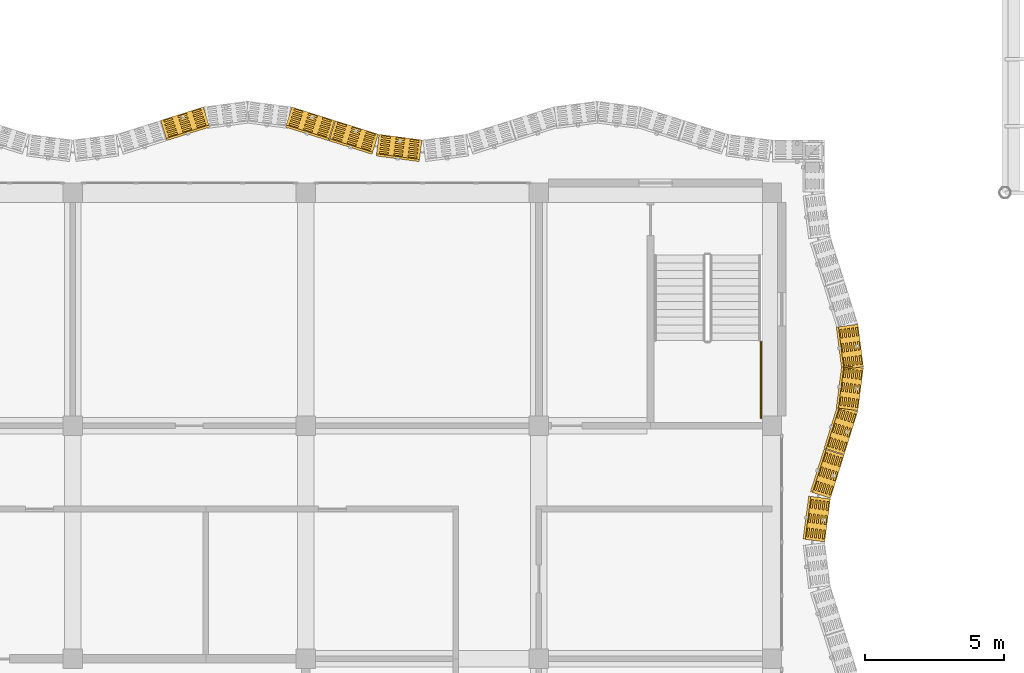
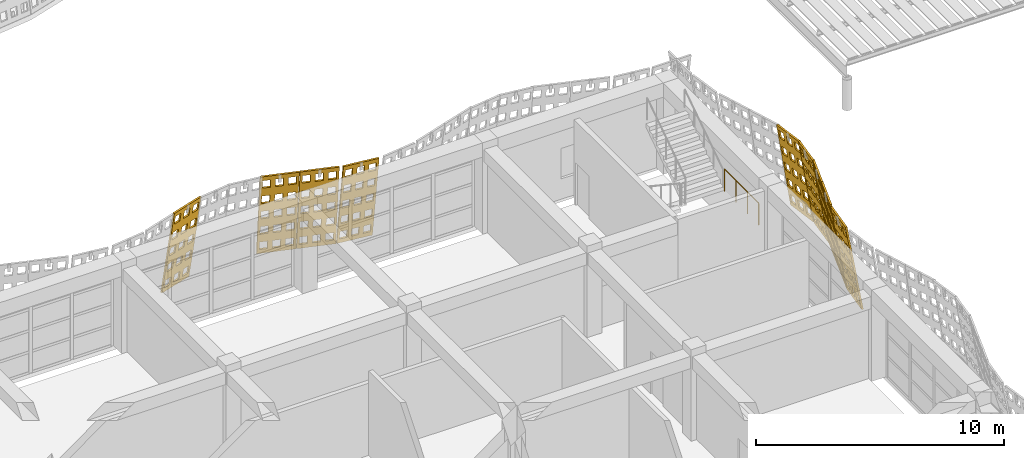
# One storey, part 126 of 162: 9 coverings, 1 railing.
"""IFC4 building model written with IfcOpenShell, lengths in metres."""

import ifcopenshell
import ifcopenshell.guid

model = None  # the IFC model being written
_history = None  # IfcOwnerHistory: only IFC2X3 demands one
_inside = {}  # id of a spatial element -> (the spatial element, [elements in it])
_under = {}  # id of a project, library or spatial element -> (it, [spatial elements below it])
_declared = {}  # id of a project -> (the project, [libraries it declares])
_typed = {}  # id of a type object -> (the type object, [elements of that type])
_made_of = {}  # id of a material, layer set ... -> (it, [elements and type objects made of it])


def new_model(schema):
    """Start an empty IFC model of exactly this schema.

    Asked for "IFC4X3", IfcOpenShell would pick the latest addendum, in which some entities
    have other attributes; the version numbers below select the first issue.
    IFC2X3 requires an IfcOwnerHistory on every rooted entity: one is made here for all.
    """
    global model, _history
    if schema == "IFC4X3":
        model = ifcopenshell.file(schema_version=(4, 3, 0, 0))
    else:
        model = ifcopenshell.file(schema=schema)
    _inside.clear()
    _under.clear()
    _declared.clear()
    _typed.clear()
    _made_of.clear()
    _history = None
    if model.schema == "IFC2X3":
        org = make("IfcOrganization", Name="unknown")
        user = make(
            "IfcPersonAndOrganization",
            ThePerson=make("IfcPerson", FamilyName="unknown"),
            TheOrganization=org,
        )
        app = make(
            "IfcApplication",
            ApplicationDeveloper=org,
            Version="unknown",
            ApplicationFullName="unknown",
            ApplicationIdentifier="unknown",
        )
        _history = make(
            "IfcOwnerHistory",
            OwningUser=user,
            OwningApplication=app,
            ChangeAction="ADDED",
            CreationDate=0,
        )
    return model


def make(cls, **values):
    """One entity of the class cls with the attributes given. An attribute that is None is left unset."""
    return model.create_entity(
        cls, **{name: value for name, value in values.items() if value is not None}
    )


def rooted(cls, **values):
    """An entity with a GlobalId (a new one), such as an element, a storey or a relation."""
    return make(cls, GlobalId=ifcopenshell.guid.new(), OwnerHistory=_history, **values)


def si_unit(unit_type, name, prefix=None):
    """IfcSIUnit, for example si_unit("LENGTHUNIT", "METRE", prefix="MILLI")."""
    return make("IfcSIUnit", UnitType=unit_type, Prefix=prefix, Name=name)


def assignment(units):
    """IfcUnitAssignment: the units of a project."""
    return None if units is None else make("IfcUnitAssignment", Units=units)


def point(xyz):
    """IfcCartesianPoint."""
    return None if xyz is None else make("IfcCartesianPoint", Coordinates=xyz)


def direction(xyz):
    """IfcDirection."""
    return None if xyz is None else make("IfcDirection", DirectionRatios=xyz)


def frame(location, z_axis=None, x_axis=None):
    """IfcAxis2Placement3D, a coordinate frame: its origin and axes. An axis left out is left unset."""
    return make(
        "IfcAxis2Placement3D",
        Location=point(location),
        Axis=direction(z_axis),
        RefDirection=direction(x_axis),
    )


def frame_2d(location, x_axis=None):
    """IfcAxis2Placement2D, a coordinate frame in the plane: its origin and x axis."""
    return make(
        "IfcAxis2Placement2D", Location=point(location), RefDirection=direction(x_axis)
    )


def origin():
    """The frame at (0, 0, 0) with its axes left unset."""
    return frame((0.0, 0.0, 0.0))


def origin_2d():
    """The frame at (0, 0) in the plane with its x axis left unset."""
    return frame_2d((0.0, 0.0))


def place(relative_to, where):
    """IfcLocalPlacement: puts the frame where relative to a parent placement (None: the world)."""
    return make(
        "IfcLocalPlacement", PlacementRelTo=relative_to, RelativePlacement=where
    )


def context(
    kind, dimensions, precision=None, world=None, true_north=None, identifier=None
):
    """IfcGeometricRepresentationContext, for example the 3D "Model" context."""
    return make(
        "IfcGeometricRepresentationContext",
        ContextIdentifier=identifier,
        ContextType=kind,
        CoordinateSpaceDimension=dimensions,
        Precision=precision,
        WorldCoordinateSystem=world,
        TrueNorth=true_north,
    )


def subcontext(parent, identifier, kind, view, scale=None):
    """IfcGeometricRepresentationSubContext, for example "Body" below "Model"."""
    return make(
        "IfcGeometricRepresentationSubContext",
        ContextIdentifier=identifier,
        ContextType=kind,
        ParentContext=parent,
        TargetScale=scale,
        TargetView=view,
    )


def project(units=None, contexts=None):
    """IfcProject with its units and contexts."""
    return rooted(
        "IfcProject",
        Name="project",
        RepresentationContexts=contexts,
        UnitsInContext=assignment(units),
    )


def spatial(cls, under=None, at=None, **own):
    """A site, building, storey or space (cls), placed at a placement, below another one or the project."""
    s = rooted(cls, ObjectPlacement=at, **own)
    if under is not None:
        _under.setdefault(under.id(), (under, []))[1].append(s)
    return s


def polyline(points):
    """IfcPolyline through the points."""
    return make("IfcPolyline", Points=[point(p) for p in points])


def profile(cls, at=None, kind="AREA", **sizes):
    """A parametric profile (cls). Its sizes go by their IFC names, for example OverallWidth=200.0."""
    return make(cls, ProfileType=kind, Position=at, **sizes)


def circle(**sizes):
    """IfcCircleProfileDef."""
    return profile("IfcCircleProfileDef", **sizes)


def outline(outer, holes=None, kind="AREA"):
    """IfcArbitraryClosedProfileDef: a profile drawn as a closed curve; with holes, ...WithVoids."""
    if holes is None:
        return make("IfcArbitraryClosedProfileDef", ProfileType=kind, OuterCurve=outer)
    return make(
        "IfcArbitraryProfileDefWithVoids",
        ProfileType=kind,
        OuterCurve=outer,
        InnerCurves=holes,
    )


def extrude(swept, where, along, depth):
    """IfcExtrudedAreaSolid: the profile swept, set in the frame where, extruded along a direction by depth."""
    return make(
        "IfcExtrudedAreaSolid",
        SweptArea=swept,
        Position=where,
        ExtrudedDirection=direction(along),
        Depth=depth,
    )


def shape(context_of_items, identifier, shape_type, items):
    """IfcShapeRepresentation: the items that make up one representation, for example the "Body"."""
    return make(
        "IfcShapeRepresentation",
        ContextOfItems=context_of_items,
        RepresentationIdentifier=identifier,
        RepresentationType=shape_type,
        Items=items,
    )


def material(Name=None, Category=None):
    """IfcMaterial."""
    return make("IfcMaterial", Name=Name, Category=Category)


def layer(
    of_material, thickness, ventilated=None, Name=None, Category=None, Priority=None
):
    """IfcMaterialLayer: one layer of a wall or slab, of a material (None: an air gap)."""
    return make(
        "IfcMaterialLayer",
        Material=of_material,
        LayerThickness=thickness,
        IsVentilated=ventilated,
        Name=Name,
        Category=Category,
        Priority=Priority,
    )


def layer_set(layers, Name=None):
    """IfcMaterialLayerSet."""
    return make("IfcMaterialLayerSet", MaterialLayers=layers, LayerSetName=Name)


def made_of(thing, what):
    """Note that an element or type object is made of a material, layer set ...; save() writes the relation."""
    if what is not None:
        _made_of.setdefault(what.id(), (what, []))[1].append(thing)
    return thing


def type_object(cls, material=None, **own):
    """A type object (cls), such as IfcWallType, which elements share."""
    return made_of(rooted(cls, **own), material)


def element(
    cls,
    number,
    at=None,
    inside=None,
    cuts=None,
    type_object=None,
    material=None,
    context=None,
    identifier="Body",
    shape_type=None,
    held_by="IfcProductDefinitionShape",
    body=None,
    shapes=None,
    **own,
):
    """One element of the class cls, such as IfcWall. Its Tag is "e" and its number.

    at: its placement. inside: the storey or other place that contains it. cuts: it is an
    opening in that element (IfcRelVoidsElement). A single representation is given by context,
    identifier, shape_type and body (its items); several are given by shapes. held_by: the class
    of the entity that holds the representations. save() writes the other relations.
    """
    e = rooted(cls, Tag="e%d" % number, ObjectPlacement=at, **own)
    if body is not None:
        shapes = [shape(context, identifier, shape_type, body)]
    if shapes is not None:
        e.Representation = make(held_by, Representations=shapes)
    if inside is not None:
        _inside.setdefault(inside.id(), (inside, []))[1].append(e)
    if cuts is not None:
        rooted(
            "IfcRelVoidsElement", RelatingBuildingElement=cuts, RelatedOpeningElement=e
        )
    if type_object is not None:
        _typed.setdefault(type_object.id(), (type_object, []))[1].append(e)
    return made_of(e, material)


def aggregate(whole, parts):
    """IfcRelAggregates: a whole, such as a stair, and the parts it consists of."""
    return rooted("IfcRelAggregates", RelatingObject=whole, RelatedObjects=parts)


def save(model, path):
    """Write the relations noted so far, then the file.

    IfcRelAggregates (storeys below a building ...), IfcRelContainedInSpatialStructure (elements
    in a storey), IfcRelDefinesByType, IfcRelAssociatesMaterial and IfcRelDeclares: one each for
    every whole, place, type object, material and project.
    """
    for whole, parts in _under.values():
        aggregate(whole, parts)
    for where, things in _inside.values():
        rooted(
            "IfcRelContainedInSpatialStructure",
            RelatedElements=things,
            RelatingStructure=where,
        )
    for kind, things in _typed.values():
        rooted("IfcRelDefinesByType", RelatedObjects=things, RelatingType=kind)
    for what, things in _made_of.values():
        rooted("IfcRelAssociatesMaterial", RelatedObjects=things, RelatingMaterial=what)
    for by, libraries in _declared.values():
        rooted("IfcRelDeclares", RelatingContext=by, RelatedDefinitions=libraries)
    model.write(path)


model = new_model("IFC4")

# Units and contexts
model_context = context("Model", 3, precision=1e-05, world=origin(), true_north=direction((0.0, 1.0)))
body_context = subcontext(model_context, "Body", "Model", "MODEL_VIEW")
ifc_project = project(units=[si_unit("LENGTHUNIT", "METRE"), si_unit("AREAUNIT", "SQUARE_METRE"), si_unit("VOLUMEUNIT", "CUBIC_METRE"), si_unit("PLANEANGLEUNIT", "RADIAN"), si_unit("MASSUNIT", "GRAM", prefix="KILO")], contexts=[model_context])

# Site, building, storey
site_placement = place(None, origin())
site = spatial("IfcSite", under=ifc_project, at=site_placement, CompositionType="ELEMENT")
building_placement = place(site_placement, origin())
building = spatial("IfcBuilding", under=site, at=building_placement, Name="Rain Tree Exposition and Congress Centre", CompositionType="ELEMENT")
storey_placement = place(building_placement, frame((0.0, 0.0, 6.0)))
storey = spatial("IfcBuildingStorey", under=building, at=storey_placement, Name="L01", CompositionType="ELEMENT", Elevation=6.0)

# Coverings
ifc_material_1 = material(Name="Perforated terracotta", Category="masonry")
ifc_layer = layer(ifc_material_1, 0.080078125)
ifc_layer_set = layer_set([ifc_layer], Name="Perforated terracotta")
covering_type = type_object("IfcCoveringType", Name="Terracotta screen 80", PredefinedType="CLADDING", material=ifc_layer_set)
covering_1_placement = place(storey_placement, frame((52.298095703125, 37.80029296875, 0.01318359375), z_axis=(-0.9779030419, 0.128349774249, -0.165021138321), x_axis=(-0.130133906157, -0.991496427865, 0.0)))
element("IfcCovering", 1, at=covering_1_placement, inside=storey, type_object=covering_type, Name="wing/screen/L01/059", PredefinedType="CLADDING", context=body_context, shape_type="SweptSolid", body=[
    extrude(outline(polyline([(-1.5732421875, 0.0), (-1.5732421875, 4.295166015625), (-0.014892578125, 4.295166015625), (-0.014892578125, 0.0), (-1.5732421875, 0.0)]), holes=[polyline([(-0.11376953125, 0.2216796875), (-0.11376953125, 0.63720703125), (-0.435791015625, 0.63720703125), (-0.435791015625, 0.2216796875), (-0.11376953125, 0.2216796875)]), polyline([(-0.11376953125, 1.080810546875), (-0.11376953125, 1.496337890625), (-0.435791015625, 1.496337890625), (-0.435791015625, 1.080810546875), (-0.11376953125, 1.080810546875)]), polyline([(-0.11376953125, 1.939697265625), (-0.11376953125, 2.35546875), (-0.435791015625, 2.35546875), (-0.435791015625, 1.939697265625), (-0.11376953125, 1.939697265625)]), polyline([(-0.11376953125, 2.798583984375), (-0.11376953125, 3.21435546875), (-0.435791015625, 3.21435546875), (-0.435791015625, 2.798583984375), (-0.11376953125, 2.798583984375)]), polyline([(-0.11376953125, 3.65771484375), (-0.11376953125, 4.073486328125), (-0.435791015625, 4.073486328125), (-0.435791015625, 3.65771484375), (-0.11376953125, 3.65771484375)]), polyline([(-0.633056640625, 0.2216796875), (-0.633056640625, 0.63720703125), (-0.955078125, 0.63720703125), (-0.955078125, 0.2216796875), (-0.633056640625, 0.2216796875)]), polyline([(-0.633056640625, 1.080810546875), (-0.633056640625, 1.496337890625), (-0.955078125, 1.496337890625), (-0.955078125, 1.080810546875), (-0.633056640625, 1.080810546875)]), polyline([(-0.633056640625, 1.939697265625), (-0.633056640625, 2.35546875), (-0.955078125, 2.35546875), (-0.955078125, 1.939697265625), (-0.633056640625, 1.939697265625)]), polyline([(-0.633056640625, 2.798583984375), (-0.633056640625, 3.21435546875), (-0.955078125, 3.21435546875), (-0.955078125, 2.798583984375), (-0.633056640625, 2.798583984375)]), polyline([(-0.633056640625, 3.65771484375), (-0.633056640625, 4.073486328125), (-0.955078125, 4.073486328125), (-0.955078125, 3.65771484375), (-0.633056640625, 3.65771484375)]), polyline([(-1.152587890625, 0.2216796875), (-1.152587890625, 0.63720703125), (-1.474609375, 0.63720703125), (-1.474609375, 0.2216796875), (-1.152587890625, 0.2216796875)]), polyline([(-1.152587890625, 1.080810546875), (-1.152587890625, 1.496337890625), (-1.474609375, 1.496337890625), (-1.474609375, 1.080810546875), (-1.152587890625, 1.080810546875)]), polyline([(-1.152587890625, 1.939697265625), (-1.152587890625, 2.35546875), (-1.474609375, 2.35546875), (-1.474609375, 1.939697265625), (-1.152587890625, 1.939697265625)]), polyline([(-1.152587890625, 2.798583984375), (-1.152587890625, 3.21435546875), (-1.474609375, 3.21435546875), (-1.474609375, 2.798583984375), (-1.152587890625, 2.798583984375)]), polyline([(-1.152587890625, 3.65771484375), (-1.152587890625, 4.073486328125), (-1.474609375, 4.073486328125), (-1.474609375, 3.65771484375), (-1.152587890625, 3.65771484375)])]), origin(), (0.0, 0.0, 1.0), 0.079833984375),
])
covering_2_placement = place(storey_placement, frame((52.50341796875, 39.37548828125, 0.0126953125), z_axis=(-0.941176896939, 0.298496232686, -0.158385756119), x_axis=(-0.302312226207, -0.953208958144, 0.0)))
element("IfcCovering", 2, at=covering_2_placement, inside=storey, type_object=covering_type, Name="wing/screen/L01/060", PredefinedType="CLADDING", context=body_context, shape_type="SweptSolid", body=[
    extrude(outline(polyline([(-1.635986328125, 0.0), (-1.635986328125, 4.291259765625), (-0.014892578125, 4.291259765625), (-0.014892578125, 0.0), (-1.635986328125, 0.0)]), holes=[polyline([(-0.11767578125, 0.221435546875), (-0.11767578125, 0.63671875), (-0.45263671875, 0.63671875), (-0.45263671875, 0.221435546875), (-0.11767578125, 0.221435546875)]), polyline([(-0.11767578125, 1.07958984375), (-0.11767578125, 1.4951171875), (-0.45263671875, 1.4951171875), (-0.45263671875, 1.07958984375), (-0.11767578125, 1.07958984375)]), polyline([(-0.11767578125, 1.93798828125), (-0.11767578125, 2.353271484375), (-0.45263671875, 2.353271484375), (-0.45263671875, 1.93798828125), (-0.11767578125, 1.93798828125)]), polyline([(-0.11767578125, 2.796142578125), (-0.11767578125, 3.21142578125), (-0.45263671875, 3.21142578125), (-0.45263671875, 2.796142578125), (-0.11767578125, 2.796142578125)]), polyline([(-0.11767578125, 3.654541015625), (-0.11767578125, 4.06982421875), (-0.45263671875, 4.06982421875), (-0.45263671875, 3.654541015625), (-0.11767578125, 3.654541015625)]), polyline([(-0.657958984375, 0.221435546875), (-0.657958984375, 0.63671875), (-0.992919921875, 0.63671875), (-0.992919921875, 0.221435546875), (-0.657958984375, 0.221435546875)]), polyline([(-0.657958984375, 1.07958984375), (-0.657958984375, 1.4951171875), (-0.992919921875, 1.4951171875), (-0.992919921875, 1.07958984375), (-0.657958984375, 1.07958984375)]), polyline([(-0.657958984375, 1.93798828125), (-0.657958984375, 2.353271484375), (-0.992919921875, 2.353271484375), (-0.992919921875, 1.93798828125), (-0.657958984375, 1.93798828125)]), polyline([(-0.657958984375, 2.796142578125), (-0.657958984375, 3.21142578125), (-0.992919921875, 3.21142578125), (-0.992919921875, 2.796142578125), (-0.657958984375, 2.796142578125)]), polyline([(-0.657958984375, 3.654541015625), (-0.657958984375, 4.06982421875), (-0.992919921875, 4.06982421875), (-0.992919921875, 3.654541015625), (-0.657958984375, 3.654541015625)]), polyline([(-1.1982421875, 0.221435546875), (-1.1982421875, 0.63671875), (-1.533203125, 0.63671875), (-1.533203125, 0.221435546875), (-1.1982421875, 0.221435546875)]), polyline([(-1.1982421875, 1.07958984375), (-1.1982421875, 1.4951171875), (-1.533203125, 1.4951171875), (-1.533203125, 1.07958984375), (-1.1982421875, 1.07958984375)]), polyline([(-1.1982421875, 1.93798828125), (-1.1982421875, 2.353271484375), (-1.533203125, 2.353271484375), (-1.533203125, 1.93798828125), (-1.1982421875, 1.93798828125)]), polyline([(-1.1982421875, 2.796142578125), (-1.1982421875, 3.21142578125), (-1.533203125, 3.21142578125), (-1.533203125, 2.796142578125), (-1.1982421875, 2.796142578125)]), polyline([(-1.1982421875, 3.654541015625), (-1.1982421875, 4.06982421875), (-1.533203125, 4.06982421875), (-1.533203125, 3.654541015625), (-1.1982421875, 3.654541015625)])]), origin(), (0.0, 0.0, 1.0), 0.080078125),
])
covering_3_placement = place(storey_placement, frame((52.998291015625, 40.95068359375, 0.0126953125), z_axis=(-0.941684688936, 0.296569528658, -0.158985726703), x_axis=(-0.300390227601, -0.953816392794, 0.0)))
element("IfcCovering", 3, at=covering_3_placement, inside=storey, type_object=covering_type, Name="wing/screen/L01/061", PredefinedType="CLADDING", context=body_context, shape_type="SweptSolid", body=[
    extrude(outline(polyline([(-1.62890625, 0.0), (-1.62890625, 4.291259765625), (-0.014892578125, 4.291259765625), (-0.014892578125, 0.0), (-1.62890625, 0.0)]), holes=[polyline([(-0.1171875, 0.221435546875), (-0.1171875, 0.63671875), (-0.45068359375, 0.63671875), (-0.45068359375, 0.221435546875), (-0.1171875, 0.221435546875)]), polyline([(-0.1171875, 1.07958984375), (-0.1171875, 1.4951171875), (-0.45068359375, 1.4951171875), (-0.45068359375, 1.07958984375), (-0.1171875, 1.07958984375)]), polyline([(-0.1171875, 1.93798828125), (-0.1171875, 2.353271484375), (-0.45068359375, 2.353271484375), (-0.45068359375, 1.93798828125), (-0.1171875, 1.93798828125)]), polyline([(-0.1171875, 2.796142578125), (-0.1171875, 3.21142578125), (-0.45068359375, 3.21142578125), (-0.45068359375, 2.796142578125), (-0.1171875, 2.796142578125)]), polyline([(-0.1171875, 3.654541015625), (-0.1171875, 4.06982421875), (-0.45068359375, 4.06982421875), (-0.45068359375, 3.654541015625), (-0.1171875, 3.654541015625)]), polyline([(-0.6552734375, 0.221435546875), (-0.6552734375, 0.63671875), (-0.98876953125, 0.63671875), (-0.98876953125, 0.221435546875), (-0.6552734375, 0.221435546875)]), polyline([(-0.6552734375, 1.07958984375), (-0.6552734375, 1.4951171875), (-0.98876953125, 1.4951171875), (-0.98876953125, 1.07958984375), (-0.6552734375, 1.07958984375)]), polyline([(-0.6552734375, 1.93798828125), (-0.6552734375, 2.353271484375), (-0.98876953125, 2.353271484375), (-0.98876953125, 1.93798828125), (-0.6552734375, 1.93798828125)]), polyline([(-0.6552734375, 2.796142578125), (-0.6552734375, 3.21142578125), (-0.98876953125, 3.21142578125), (-0.98876953125, 2.796142578125), (-0.6552734375, 2.796142578125)]), polyline([(-0.6552734375, 3.654541015625), (-0.6552734375, 4.06982421875), (-0.98876953125, 4.06982421875), (-0.98876953125, 3.654541015625), (-0.6552734375, 3.654541015625)]), polyline([(-1.193115234375, 0.221435546875), (-1.193115234375, 0.63671875), (-1.526611328125, 0.63671875), (-1.526611328125, 0.221435546875), (-1.193115234375, 0.221435546875)]), polyline([(-1.193115234375, 1.07958984375), (-1.193115234375, 1.4951171875), (-1.526611328125, 1.4951171875), (-1.526611328125, 1.07958984375), (-1.193115234375, 1.07958984375)]), polyline([(-1.193115234375, 1.93798828125), (-1.193115234375, 2.353271484375), (-1.526611328125, 2.353271484375), (-1.526611328125, 1.93798828125), (-1.193115234375, 1.93798828125)]), polyline([(-1.193115234375, 2.796142578125), (-1.193115234375, 3.21142578125), (-1.526611328125, 3.21142578125), (-1.526611328125, 2.796142578125), (-1.193115234375, 2.796142578125)]), polyline([(-1.193115234375, 3.654541015625), (-1.193115234375, 4.06982421875), (-1.526611328125, 4.06982421875), (-1.526611328125, 3.654541015625), (-1.193115234375, 3.654541015625)])]), origin(), (0.0, 0.0, 1.0), 0.079833984375),
])
covering_4_placement = place(storey_placement, frame((53.4931640625, 42.525390625, 0.01318359375), z_axis=(-0.978413018317, 0.124968640969, -0.164592844203), x_axis=(-0.126696580272, -0.991941518713, 0.0)))
element("IfcCovering", 4, at=covering_4_placement, inside=storey, type_object=covering_type, Name="wing/screen/L01/062", PredefinedType="CLADDING", context=body_context, shape_type="SweptSolid", body=[
    extrude(outline(polyline([(-1.56298828125, 0.0), (-1.56298828125, 4.295166015625), (-0.02197265625, 4.295166015625), (-0.02197265625, 0.0), (-1.56298828125, 0.0)]), holes=[polyline([(-0.11962890625, 0.2216796875), (-0.11962890625, 0.63720703125), (-0.43798828125, 0.63720703125), (-0.43798828125, 0.2216796875), (-0.11962890625, 0.2216796875)]), polyline([(-0.11962890625, 1.080810546875), (-0.11962890625, 1.496337890625), (-0.43798828125, 1.496337890625), (-0.43798828125, 1.080810546875), (-0.11962890625, 1.080810546875)]), polyline([(-0.11962890625, 1.939697265625), (-0.11962890625, 2.35546875), (-0.43798828125, 2.35546875), (-0.43798828125, 1.939697265625), (-0.11962890625, 1.939697265625)]), polyline([(-0.11962890625, 2.798583984375), (-0.11962890625, 3.21435546875), (-0.43798828125, 3.21435546875), (-0.43798828125, 2.798583984375), (-0.11962890625, 2.798583984375)]), polyline([(-0.11962890625, 3.65771484375), (-0.11962890625, 4.073486328125), (-0.43798828125, 4.073486328125), (-0.43798828125, 3.65771484375), (-0.11962890625, 3.65771484375)]), polyline([(-0.63330078125, 0.2216796875), (-0.63330078125, 0.63720703125), (-0.95166015625, 0.63720703125), (-0.95166015625, 0.2216796875), (-0.63330078125, 0.2216796875)]), polyline([(-0.63330078125, 1.080810546875), (-0.63330078125, 1.496337890625), (-0.95166015625, 1.496337890625), (-0.95166015625, 1.080810546875), (-0.63330078125, 1.080810546875)]), polyline([(-0.63330078125, 1.939697265625), (-0.63330078125, 2.35546875), (-0.95166015625, 2.35546875), (-0.95166015625, 1.939697265625), (-0.63330078125, 1.939697265625)]), polyline([(-0.63330078125, 2.798583984375), (-0.63330078125, 3.21435546875), (-0.95166015625, 3.21435546875), (-0.95166015625, 2.798583984375), (-0.63330078125, 2.798583984375)]), polyline([(-0.63330078125, 3.65771484375), (-0.63330078125, 4.073486328125), (-0.95166015625, 4.073486328125), (-0.95166015625, 3.65771484375), (-0.63330078125, 3.65771484375)]), polyline([(-1.146728515625, 0.2216796875), (-1.146728515625, 0.63720703125), (-1.46533203125, 0.63720703125), (-1.46533203125, 0.2216796875), (-1.146728515625, 0.2216796875)]), polyline([(-1.146728515625, 1.080810546875), (-1.146728515625, 1.496337890625), (-1.46533203125, 1.496337890625), (-1.46533203125, 1.080810546875), (-1.146728515625, 1.080810546875)]), polyline([(-1.146728515625, 1.939697265625), (-1.146728515625, 2.35546875), (-1.46533203125, 2.35546875), (-1.46533203125, 1.939697265625), (-1.146728515625, 1.939697265625)]), polyline([(-1.146728515625, 2.798583984375), (-1.146728515625, 3.21435546875), (-1.46533203125, 3.21435546875), (-1.46533203125, 2.798583984375), (-1.146728515625, 2.798583984375)]), polyline([(-1.146728515625, 3.65771484375), (-1.146728515625, 4.073486328125), (-1.46533203125, 4.073486328125), (-1.46533203125, 3.65771484375), (-1.146728515625, 3.65771484375)])]), origin(), (0.0, 0.0, 1.0), 0.080078125),
])
covering_5_placement = place(storey_placement, frame((53.697998046875, 44.099609375, 0.01318359375), z_axis=(-0.978282259159, -0.125342414455, -0.165085131233), x_axis=(0.127086122318, -0.991891686382, 0.0)))
element("IfcCovering", 5, at=covering_5_placement, inside=storey, type_object=covering_type, Name="wing/screen/L01/063", PredefinedType="CLADDING", context=body_context, shape_type="SweptSolid", body=[
    extrude(outline(polyline([(-1.56640625, 0.0), (-1.56640625, 4.295166015625), (-0.025390625, 4.295166015625), (-0.025390625, 0.0), (-1.56640625, 0.0)]), holes=[polyline([(-0.123046875, 0.2216796875), (-0.123046875, 0.63720703125), (-0.44140625, 0.63720703125), (-0.44140625, 0.2216796875), (-0.123046875, 0.2216796875)]), polyline([(-0.123046875, 1.080810546875), (-0.123046875, 1.496337890625), (-0.44140625, 1.496337890625), (-0.44140625, 1.080810546875), (-0.123046875, 1.080810546875)]), polyline([(-0.123046875, 1.939697265625), (-0.123046875, 2.35546875), (-0.44140625, 2.35546875), (-0.44140625, 1.939697265625), (-0.123046875, 1.939697265625)]), polyline([(-0.123046875, 2.798583984375), (-0.123046875, 3.21435546875), (-0.44140625, 3.21435546875), (-0.44140625, 2.798583984375), (-0.123046875, 2.798583984375)]), polyline([(-0.123046875, 3.65771484375), (-0.123046875, 4.073486328125), (-0.44140625, 4.073486328125), (-0.44140625, 3.65771484375), (-0.123046875, 3.65771484375)]), polyline([(-0.63671875, 0.2216796875), (-0.63671875, 0.63720703125), (-0.955078125, 0.63720703125), (-0.955078125, 0.2216796875), (-0.63671875, 0.2216796875)]), polyline([(-0.63671875, 1.080810546875), (-0.63671875, 1.496337890625), (-0.955078125, 1.496337890625), (-0.955078125, 1.080810546875), (-0.63671875, 1.080810546875)]), polyline([(-0.63671875, 1.939697265625), (-0.63671875, 2.35546875), (-0.955078125, 2.35546875), (-0.955078125, 1.939697265625), (-0.63671875, 1.939697265625)]), polyline([(-0.63671875, 2.798583984375), (-0.63671875, 3.21435546875), (-0.955078125, 3.21435546875), (-0.955078125, 2.798583984375), (-0.63671875, 2.798583984375)]), polyline([(-0.63671875, 3.65771484375), (-0.63671875, 4.073486328125), (-0.955078125, 4.073486328125), (-0.955078125, 3.65771484375), (-0.63671875, 3.65771484375)]), polyline([(-1.150146484375, 0.2216796875), (-1.150146484375, 0.63720703125), (-1.46875, 0.63720703125), (-1.46875, 0.2216796875), (-1.150146484375, 0.2216796875)]), polyline([(-1.150146484375, 1.080810546875), (-1.150146484375, 1.496337890625), (-1.46875, 1.496337890625), (-1.46875, 1.080810546875), (-1.150146484375, 1.080810546875)]), polyline([(-1.150146484375, 1.939697265625), (-1.150146484375, 2.35546875), (-1.46875, 2.35546875), (-1.46875, 1.939697265625), (-1.150146484375, 1.939697265625)]), polyline([(-1.150146484375, 2.798583984375), (-1.150146484375, 3.21435546875), (-1.46875, 3.21435546875), (-1.46875, 2.798583984375), (-1.150146484375, 2.798583984375)]), polyline([(-1.150146484375, 3.65771484375), (-1.150146484375, 4.073486328125), (-1.46875, 4.073486328125), (-1.46875, 3.65771484375), (-1.150146484375, 3.65771484375)])]), origin(), (0.0, 0.0, 1.0), 0.079833984375),
])
covering_6_placement = place(storey_placement, frame((37.7998046875, 52.298095703125, 0.01318359375), z_axis=(-0.128349774249, -0.9779030419, -0.165021138321), x_axis=(0.991496427865, -0.130133906157, 0.0)))
element("IfcCovering", 6, at=covering_6_placement, inside=storey, type_object=covering_type, Name="wing/screen/L01/077", PredefinedType="CLADDING", context=body_context, shape_type="SweptSolid", body=[
    extrude(outline(polyline([(-1.5732421875, 0.0), (-1.5732421875, 4.295166015625), (-0.014892578125, 4.295166015625), (-0.014892578125, 0.0), (-1.5732421875, 0.0)]), holes=[polyline([(-0.11376953125, 0.2216796875), (-0.11376953125, 0.63720703125), (-0.435791015625, 0.63720703125), (-0.435791015625, 0.2216796875), (-0.11376953125, 0.2216796875)]), polyline([(-0.11376953125, 1.080810546875), (-0.11376953125, 1.496337890625), (-0.435791015625, 1.496337890625), (-0.435791015625, 1.080810546875), (-0.11376953125, 1.080810546875)]), polyline([(-0.11376953125, 1.939697265625), (-0.11376953125, 2.35546875), (-0.435791015625, 2.35546875), (-0.435791015625, 1.939697265625), (-0.11376953125, 1.939697265625)]), polyline([(-0.11376953125, 2.798583984375), (-0.11376953125, 3.21435546875), (-0.435791015625, 3.21435546875), (-0.435791015625, 2.798583984375), (-0.11376953125, 2.798583984375)]), polyline([(-0.11376953125, 3.65771484375), (-0.11376953125, 4.073486328125), (-0.435791015625, 4.073486328125), (-0.435791015625, 3.65771484375), (-0.11376953125, 3.65771484375)]), polyline([(-0.633056640625, 0.2216796875), (-0.633056640625, 0.63720703125), (-0.955078125, 0.63720703125), (-0.955078125, 0.2216796875), (-0.633056640625, 0.2216796875)]), polyline([(-0.633056640625, 1.080810546875), (-0.633056640625, 1.496337890625), (-0.955078125, 1.496337890625), (-0.955078125, 1.080810546875), (-0.633056640625, 1.080810546875)]), polyline([(-0.633056640625, 1.939697265625), (-0.633056640625, 2.35546875), (-0.955078125, 2.35546875), (-0.955078125, 1.939697265625), (-0.633056640625, 1.939697265625)]), polyline([(-0.633056640625, 2.798583984375), (-0.633056640625, 3.21435546875), (-0.955078125, 3.21435546875), (-0.955078125, 2.798583984375), (-0.633056640625, 2.798583984375)]), polyline([(-0.633056640625, 3.65771484375), (-0.633056640625, 4.073486328125), (-0.955078125, 4.073486328125), (-0.955078125, 3.65771484375), (-0.633056640625, 3.65771484375)]), polyline([(-1.152587890625, 0.2216796875), (-1.152587890625, 0.63720703125), (-1.474609375, 0.63720703125), (-1.474609375, 0.2216796875), (-1.152587890625, 0.2216796875)]), polyline([(-1.152587890625, 1.080810546875), (-1.152587890625, 1.496337890625), (-1.474609375, 1.496337890625), (-1.474609375, 1.080810546875), (-1.152587890625, 1.080810546875)]), polyline([(-1.152587890625, 1.939697265625), (-1.152587890625, 2.35546875), (-1.474609375, 2.35546875), (-1.474609375, 1.939697265625), (-1.152587890625, 1.939697265625)]), polyline([(-1.152587890625, 2.798583984375), (-1.152587890625, 3.21435546875), (-1.474609375, 3.21435546875), (-1.474609375, 2.798583984375), (-1.152587890625, 2.798583984375)]), polyline([(-1.152587890625, 3.65771484375), (-1.152587890625, 4.073486328125), (-1.474609375, 4.073486328125), (-1.474609375, 3.65771484375), (-1.152587890625, 3.65771484375)])]), origin(), (0.0, 0.0, 1.0), 0.079833984375),
])
covering_7_placement = place(storey_placement, frame((36.224365234375, 52.50341796875, 0.0126953125), z_axis=(-0.295717964052, -0.942029390639, -0.158529217842), x_axis=(0.954094597562, -0.29950542383, 0.0)))
element("IfcCovering", 7, at=covering_7_placement, inside=storey, type_object=covering_type, Name="wing/screen/L01/078", PredefinedType="CLADDING", context=body_context, shape_type="SweptSolid", body=[
    extrude(outline(polyline([(-1.635986328125, 0.0), (-1.635986328125, 4.291259765625), (-0.014892578125, 4.291259765625), (-0.014892578125, 0.0), (-1.635986328125, 0.0)]), holes=[polyline([(-0.11767578125, 0.221435546875), (-0.11767578125, 0.63671875), (-0.45263671875, 0.63671875), (-0.45263671875, 0.221435546875), (-0.11767578125, 0.221435546875)]), polyline([(-0.11767578125, 1.07958984375), (-0.11767578125, 1.4951171875), (-0.45263671875, 1.4951171875), (-0.45263671875, 1.07958984375), (-0.11767578125, 1.07958984375)]), polyline([(-0.11767578125, 1.93798828125), (-0.11767578125, 2.353271484375), (-0.45263671875, 2.353271484375), (-0.45263671875, 1.93798828125), (-0.11767578125, 1.93798828125)]), polyline([(-0.11767578125, 2.796142578125), (-0.11767578125, 3.21142578125), (-0.45263671875, 3.21142578125), (-0.45263671875, 2.796142578125), (-0.11767578125, 2.796142578125)]), polyline([(-0.11767578125, 3.654541015625), (-0.11767578125, 4.06982421875), (-0.45263671875, 4.06982421875), (-0.45263671875, 3.654541015625), (-0.11767578125, 3.654541015625)]), polyline([(-0.657958984375, 0.221435546875), (-0.657958984375, 0.63671875), (-0.992919921875, 0.63671875), (-0.992919921875, 0.221435546875), (-0.657958984375, 0.221435546875)]), polyline([(-0.657958984375, 1.07958984375), (-0.657958984375, 1.4951171875), (-0.992919921875, 1.4951171875), (-0.992919921875, 1.07958984375), (-0.657958984375, 1.07958984375)]), polyline([(-0.657958984375, 1.93798828125), (-0.657958984375, 2.353271484375), (-0.992919921875, 2.353271484375), (-0.992919921875, 1.93798828125), (-0.657958984375, 1.93798828125)]), polyline([(-0.657958984375, 2.796142578125), (-0.657958984375, 3.21142578125), (-0.992919921875, 3.21142578125), (-0.992919921875, 2.796142578125), (-0.657958984375, 2.796142578125)]), polyline([(-0.657958984375, 3.654541015625), (-0.657958984375, 4.06982421875), (-0.992919921875, 4.06982421875), (-0.992919921875, 3.654541015625), (-0.657958984375, 3.654541015625)]), polyline([(-1.1982421875, 0.221435546875), (-1.1982421875, 0.63671875), (-1.533203125, 0.63671875), (-1.533203125, 0.221435546875), (-1.1982421875, 0.221435546875)]), polyline([(-1.1982421875, 1.07958984375), (-1.1982421875, 1.4951171875), (-1.533203125, 1.4951171875), (-1.533203125, 1.07958984375), (-1.1982421875, 1.07958984375)]), polyline([(-1.1982421875, 1.93798828125), (-1.1982421875, 2.353271484375), (-1.533203125, 2.353271484375), (-1.533203125, 1.93798828125), (-1.1982421875, 1.93798828125)]), polyline([(-1.1982421875, 2.796142578125), (-1.1982421875, 3.21142578125), (-1.533203125, 3.21142578125), (-1.533203125, 2.796142578125), (-1.1982421875, 2.796142578125)]), polyline([(-1.1982421875, 3.654541015625), (-1.1982421875, 4.06982421875), (-1.533203125, 4.06982421875), (-1.533203125, 3.654541015625), (-1.1982421875, 3.654541015625)])]), origin(), (0.0, 0.0, 1.0), 0.080078125),
])
covering_8_placement = place(storey_placement, frame((34.6494140625, 52.998291015625, 0.0126953125), z_axis=(-0.296569528658, -0.941684688936, -0.158985726703), x_axis=(0.953816392794, -0.300390227601, 0.0)))
element("IfcCovering", 8, at=covering_8_placement, inside=storey, type_object=covering_type, Name="wing/screen/L01/079", PredefinedType="CLADDING", context=body_context, shape_type="SweptSolid", body=[
    extrude(outline(polyline([(-1.62890625, 0.0), (-1.62890625, 4.291259765625), (-0.014892578125, 4.291259765625), (-0.014892578125, 0.0), (-1.62890625, 0.0)]), holes=[polyline([(-0.1171875, 0.221435546875), (-0.1171875, 0.63671875), (-0.45068359375, 0.63671875), (-0.45068359375, 0.221435546875), (-0.1171875, 0.221435546875)]), polyline([(-0.1171875, 1.07958984375), (-0.1171875, 1.4951171875), (-0.45068359375, 1.4951171875), (-0.45068359375, 1.07958984375), (-0.1171875, 1.07958984375)]), polyline([(-0.1171875, 1.93798828125), (-0.1171875, 2.353271484375), (-0.45068359375, 2.353271484375), (-0.45068359375, 1.93798828125), (-0.1171875, 1.93798828125)]), polyline([(-0.1171875, 2.796142578125), (-0.1171875, 3.21142578125), (-0.45068359375, 3.21142578125), (-0.45068359375, 2.796142578125), (-0.1171875, 2.796142578125)]), polyline([(-0.1171875, 3.654541015625), (-0.1171875, 4.06982421875), (-0.45068359375, 4.06982421875), (-0.45068359375, 3.654541015625), (-0.1171875, 3.654541015625)]), polyline([(-0.6552734375, 0.221435546875), (-0.6552734375, 0.63671875), (-0.98876953125, 0.63671875), (-0.98876953125, 0.221435546875), (-0.6552734375, 0.221435546875)]), polyline([(-0.6552734375, 1.07958984375), (-0.6552734375, 1.4951171875), (-0.98876953125, 1.4951171875), (-0.98876953125, 1.07958984375), (-0.6552734375, 1.07958984375)]), polyline([(-0.6552734375, 1.93798828125), (-0.6552734375, 2.353271484375), (-0.98876953125, 2.353271484375), (-0.98876953125, 1.93798828125), (-0.6552734375, 1.93798828125)]), polyline([(-0.6552734375, 2.796142578125), (-0.6552734375, 3.21142578125), (-0.98876953125, 3.21142578125), (-0.98876953125, 2.796142578125), (-0.6552734375, 2.796142578125)]), polyline([(-0.6552734375, 3.654541015625), (-0.6552734375, 4.06982421875), (-0.98876953125, 4.06982421875), (-0.98876953125, 3.654541015625), (-0.6552734375, 3.654541015625)]), polyline([(-1.193115234375, 0.221435546875), (-1.193115234375, 0.63671875), (-1.526611328125, 0.63671875), (-1.526611328125, 0.221435546875), (-1.193115234375, 0.221435546875)]), polyline([(-1.193115234375, 1.07958984375), (-1.193115234375, 1.4951171875), (-1.526611328125, 1.4951171875), (-1.526611328125, 1.07958984375), (-1.193115234375, 1.07958984375)]), polyline([(-1.193115234375, 1.93798828125), (-1.193115234375, 2.353271484375), (-1.526611328125, 2.353271484375), (-1.526611328125, 1.93798828125), (-1.193115234375, 1.93798828125)]), polyline([(-1.193115234375, 2.796142578125), (-1.193115234375, 3.21142578125), (-1.526611328125, 3.21142578125), (-1.526611328125, 2.796142578125), (-1.193115234375, 2.796142578125)]), polyline([(-1.193115234375, 3.654541015625), (-1.193115234375, 4.06982421875), (-1.526611328125, 4.06982421875), (-1.526611328125, 3.654541015625), (-1.193115234375, 3.654541015625)])]), origin(), (0.0, 0.0, 1.0), 0.079833984375),
])
covering_9_placement = place(storey_placement, frame((29.925537109375, 53.493408203125, 0.0126953125), z_axis=(0.295717964052, -0.942029390639, -0.158529217842), x_axis=(0.954094597562, 0.29950542383, 0.0)))
element("IfcCovering", 9, at=covering_9_placement, inside=storey, type_object=covering_type, Name="wing/screen/L01/082", PredefinedType="CLADDING", context=body_context, shape_type="SweptSolid", body=[
    extrude(outline(polyline([(-1.635986328125, 0.0), (-1.635986328125, 4.291259765625), (-0.02197265625, 4.291259765625), (-0.02197265625, 0.0), (-1.635986328125, 0.0)]), holes=[polyline([(-0.124267578125, 0.221435546875), (-0.124267578125, 0.63671875), (-0.457763671875, 0.63671875), (-0.457763671875, 0.221435546875), (-0.124267578125, 0.221435546875)]), polyline([(-0.124267578125, 1.07958984375), (-0.124267578125, 1.4951171875), (-0.457763671875, 1.4951171875), (-0.457763671875, 1.07958984375), (-0.124267578125, 1.07958984375)]), polyline([(-0.124267578125, 1.93798828125), (-0.124267578125, 2.353271484375), (-0.457763671875, 2.353271484375), (-0.457763671875, 1.93798828125), (-0.124267578125, 1.93798828125)]), polyline([(-0.124267578125, 2.796142578125), (-0.124267578125, 3.21142578125), (-0.457763671875, 3.21142578125), (-0.457763671875, 2.796142578125), (-0.124267578125, 2.796142578125)]), polyline([(-0.124267578125, 3.654541015625), (-0.124267578125, 4.06982421875), (-0.457763671875, 4.06982421875), (-0.457763671875, 3.654541015625), (-0.124267578125, 3.654541015625)]), polyline([(-0.662109375, 0.221435546875), (-0.662109375, 0.63671875), (-0.995849609375, 0.63671875), (-0.995849609375, 0.221435546875), (-0.662109375, 0.221435546875)]), polyline([(-0.662109375, 1.07958984375), (-0.662109375, 1.4951171875), (-0.995849609375, 1.4951171875), (-0.995849609375, 1.07958984375), (-0.662109375, 1.07958984375)]), polyline([(-0.662109375, 1.93798828125), (-0.662109375, 2.353271484375), (-0.995849609375, 2.353271484375), (-0.995849609375, 1.93798828125), (-0.662109375, 1.93798828125)]), polyline([(-0.662109375, 2.796142578125), (-0.662109375, 3.21142578125), (-0.995849609375, 3.21142578125), (-0.995849609375, 2.796142578125), (-0.662109375, 2.796142578125)]), polyline([(-0.662109375, 3.654541015625), (-0.662109375, 4.06982421875), (-0.995849609375, 4.06982421875), (-0.995849609375, 3.654541015625), (-0.662109375, 3.654541015625)]), polyline([(-1.2001953125, 0.221435546875), (-1.2001953125, 0.63671875), (-1.53369140625, 0.63671875), (-1.53369140625, 0.221435546875), (-1.2001953125, 0.221435546875)]), polyline([(-1.2001953125, 1.07958984375), (-1.2001953125, 1.4951171875), (-1.53369140625, 1.4951171875), (-1.53369140625, 1.07958984375), (-1.2001953125, 1.07958984375)]), polyline([(-1.2001953125, 1.93798828125), (-1.2001953125, 2.353271484375), (-1.53369140625, 2.353271484375), (-1.53369140625, 1.93798828125), (-1.2001953125, 1.93798828125)]), polyline([(-1.2001953125, 2.796142578125), (-1.2001953125, 3.21142578125), (-1.53369140625, 3.21142578125), (-1.53369140625, 2.796142578125), (-1.2001953125, 2.796142578125)]), polyline([(-1.2001953125, 3.654541015625), (-1.2001953125, 4.06982421875), (-1.53369140625, 4.06982421875), (-1.53369140625, 3.654541015625), (-1.2001953125, 3.654541015625)])]), origin(), (0.0, 0.0, 1.0), 0.080078125),
])

# Railing
ifc_material_2 = material(Name="Steel S355J2H", Category="steel")
railing_type = type_object("IfcRailingType", Name="Wing stair guard 1100", PredefinedType="GUARDRAIL", material=ifc_material_2)
railing_placement = place(storey_placement, frame((50.0029296875, 45.02001953125, 2.25)))
element("IfcRailing", 10, at=railing_placement, inside=storey, type_object=railing_type, Name="wing/stair/ST-W4-L01-LG1", PredefinedType="GUARDRAIL", context=body_context, shape_type="SweptSolid", body=[
    extrude(circle(Radius=0.02392578125, at=origin_2d()), frame((0.0, 0.0, 1.076171875), z_axis=(0.0, -1.0, 0.0), x_axis=(1.0, 0.0, 0.0)), (0.0, 0.0, 1.0), 2.748046875),
    extrude(circle(Radius=0.02099609375, at=origin_2d()), origin(), (0.0, 0.0, 1.0), 1.052001953125),
    extrude(circle(Radius=0.02099609375, at=origin_2d()), frame((0.0, -0.916015625, 0.0)), (0.0, 0.0, 1.0), 1.052001953125),
    extrude(circle(Radius=0.02099609375, at=origin_2d()), frame((0.0, -1.83203125, 0.0)), (0.0, 0.0, 1.0), 1.052001953125),
    extrude(circle(Radius=0.02099609375, at=origin_2d()), frame((0.0, -2.748046875, 0.0)), (0.0, 0.0, 1.0), 1.052001953125),
])

save(model, "model.ifc")
